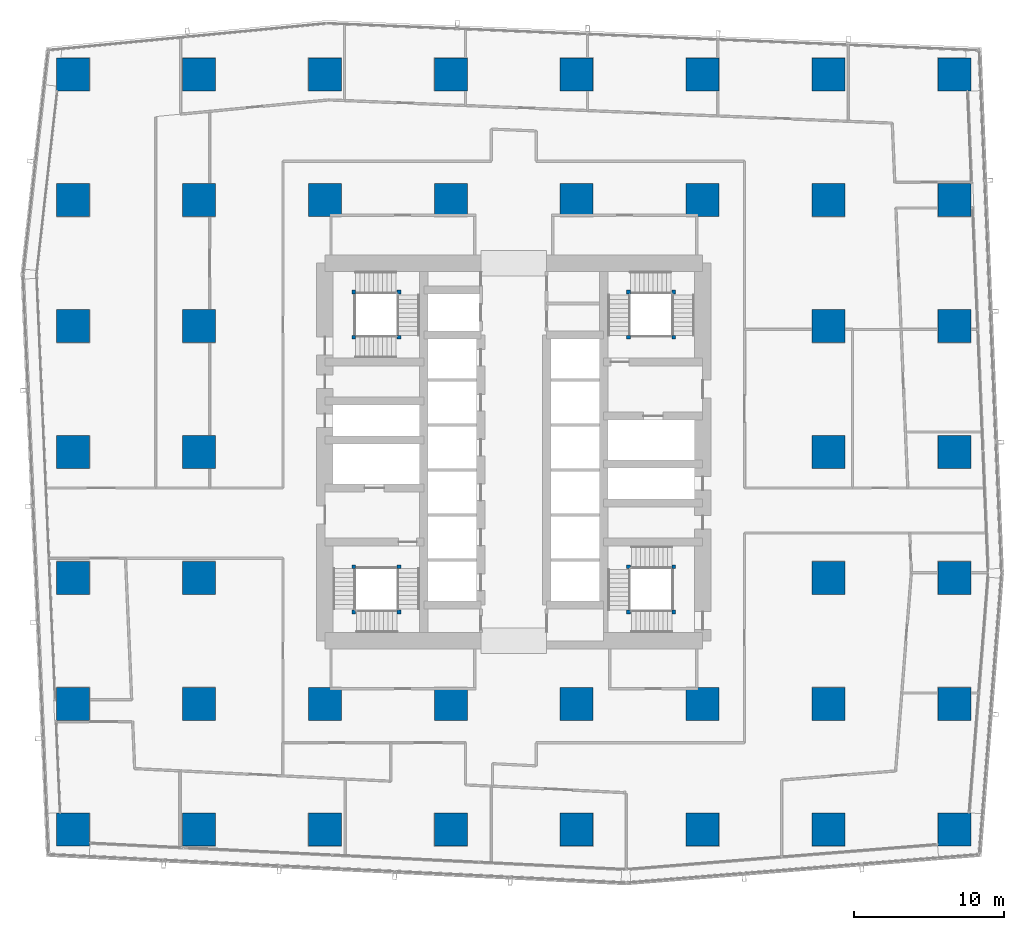
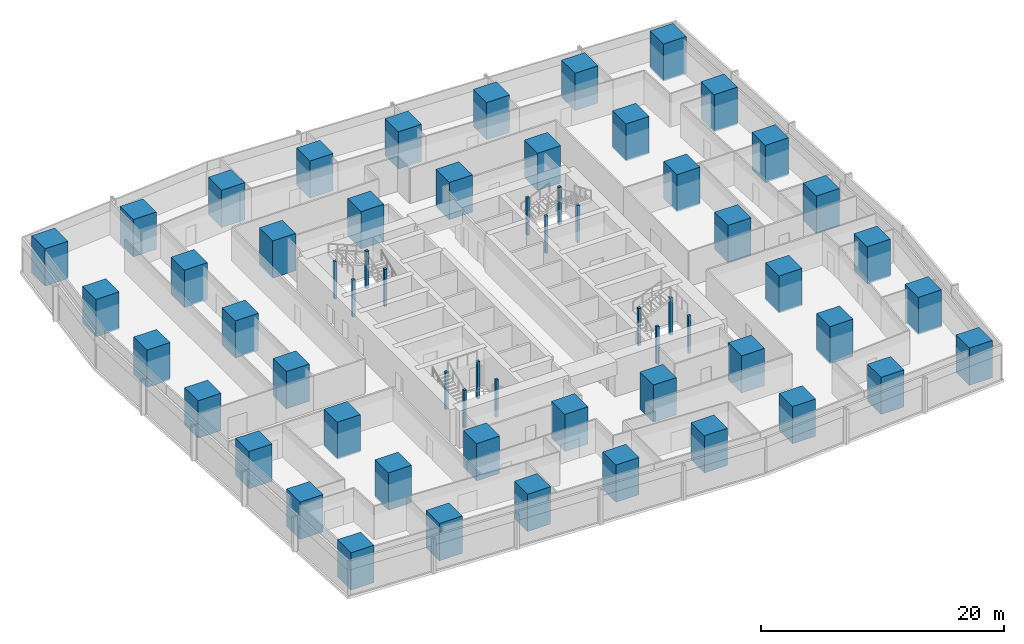
# One storey, part 1 of 44: 60 columns.
"""IFC4 building model written with IfcOpenShell, lengths in metres."""

from ifc_helpers import new_model, si_unit, direction, frame, origin, origin_2d, place, context, subcontext, project, spatial, rectangle, extrude, material, material_profile, profile_set, type_object, element, save


model = new_model("IFC4")

# Units and contexts
model_context = context("Model", 3, precision=1e-05, world=origin(), true_north=direction((0.0, 1.0)))
body_context = subcontext(model_context, "Body", "Model", "MODEL_VIEW")
ifc_project = project(units=[si_unit("LENGTHUNIT", "METRE"), si_unit("AREAUNIT", "SQUARE_METRE"), si_unit("VOLUMEUNIT", "CUBIC_METRE"), si_unit("PLANEANGLEUNIT", "RADIAN"), si_unit("MASSUNIT", "GRAM", prefix="KILO")], contexts=[model_context])

# Site, building, storey
site_placement = place(None, origin())
site = spatial("IfcSite", under=ifc_project, at=site_placement, CompositionType="ELEMENT")
building_placement = place(site_placement, origin())
building = spatial("IfcBuilding", under=site, at=building_placement, Name="Rekha Terrace Tower", CompositionType="ELEMENT")
storey_placement = place(building_placement, frame((0.0, 0.0, 59.14990234375)))
storey = spatial("IfcBuildingStorey", under=building, at=storey_placement, Name="L14", CompositionType="ELEMENT", Elevation=59.14990234375)

# Columns
ifc_material_1 = material(Name="Concrete M70", Category="concrete")
ifc_material_profile_1 = material_profile(ifc_material_1, rectangle(XDim=2.199951171875, YDim=2.199951171875, at=origin_2d()), Name="RC 2200x2200")
ifc_profile_set_1 = profile_set([ifc_material_profile_1], Name="Concrete M70")
column_type_1 = type_object("IfcColumnType", Name="C2 2200x2200 column", PredefinedType="COLUMN", material=ifc_profile_set_1)
for number, where, z_axis, x_axis, name in (
    (1, (8.39990234375, 8.39990234375, 0.0), (0.0, 0.0, 1.0), (1.0, 0.0, 0.0), "Column C2 2/B L14"),
    (2, (8.39990234375, 16.800048828125, 0.0), (0.0, 0.0, 1.0), (1.0, 0.0, 0.0), "Column C2 2/C L14"),
    (3, (8.39990234375, 25.199951171875, 0.0), (0.0, 0.0, 1.0), (1.0, 0.0, 0.0), "Column C2 2/D L14"),
    (4, (8.39990234375, 33.60009765625, 0.0), (0.0, 0.0, 1.0), (1.0, 0.0, 0.0), "Column C2 2/E L14"),
    (5, (8.39990234375, 42.0, 0.0), (0.0, 0.0, 1.0), (1.0, 0.0, 0.0), "Column C2 2/F L14"),
    (6, (8.39990234375, 50.39990234375, 0.0), (0.0, 0.0, 1.0), (1.0, 0.0, 0.0), "Column C2 2/G L14"),
    (7, (8.39990234375, 58.800048828125, 0.0), (0.0, 0.0, 1.0), (1.0, 0.0, 0.0), "Column C2 2/H L14"),
    (8, (16.800048828125, 8.39990234375, 0.0), (0.0, 0.0, 1.0), (1.0, 0.0, 0.0), "Column C2 3/B L14"),
    (9, (16.800048828125, 16.800048828125, 0.0), (0.0, 0.0, 1.0), (1.0, 0.0, 0.0), "Column C2 3/C L14"),
    (10, (16.800048828125, 25.199951171875, 0.0), (0.0, 0.0, 1.0), (1.0, 0.0, 0.0), "Column C2 3/D L14"),
    (11, (16.800048828125, 33.60009765625, 0.0), (0.0, 0.0, 1.0), (1.0, 0.0, 0.0), "Column C2 3/E L14"),
    (12, (16.800048828125, 42.0, 0.0), (0.0, 0.0, 1.0), (1.0, 0.0, 0.0), "Column C2 3/F L14"),
    (13, (16.800048828125, 50.39990234375, 0.0), (0.0, 0.0, 1.0), (1.0, 0.0, 0.0), "Column C2 3/G L14"),
    (14, (16.800048828125, 58.800048828125, 0.0), (0.0, 0.0, 1.0), (1.0, 0.0, 0.0), "Column C2 3/H L14"),
    (15, (25.199951171875, 8.39990234375, 0.0), (0.0, 0.0, 1.0), (1.0, 0.0, 0.0), "Column C2 4/B L14"),
    (16, (25.199951171875, 16.800048828125, 0.0), (0.0, 0.0, 1.0), (1.0, 0.0, 0.0), "Column C2 4/C L14"),
    (17, (25.199951171875, 50.39990234375, 0.0), (0.0, 0.0, 1.0), (1.0, 0.0, 0.0), "Column C2 4/G L14"),
    (18, (25.199951171875, 58.800048828125, 0.0), (0.0, 0.0, 1.0), (1.0, 0.0, 0.0), "Column C2 4/H L14"),
    (19, (33.60009765625, 8.39990234375, 0.0), (0.0, 0.0, 1.0), (1.0, 0.0, 0.0), "Column C2 5/B L14"),
    (20, (33.60009765625, 16.800048828125, 0.0), (0.0, 0.0, 1.0), (1.0, 0.0, 0.0), "Column C2 5/C L14"),
    (21, (33.60009765625, 50.39990234375, 0.0), (0.0, 0.0, 1.0), (1.0, 0.0, 0.0), "Column C2 5/G L14"),
    (22, (33.60009765625, 58.800048828125, 0.0), (0.0, 0.0, 1.0), (1.0, 0.0, 0.0), "Column C2 5/H L14"),
    (23, (42.0, 8.39990234375, 0.0), (0.0, 0.0, 1.0), (1.0, 0.0, 0.0), "Column C2 6/B L14"),
    (24, (42.0, 16.800048828125, 0.0), (0.0, 0.0, 1.0), (1.0, 0.0, 0.0), "Column C2 6/C L14"),
    (25, (42.0, 50.39990234375, 0.0), (0.0, 0.0, 1.0), (1.0, 0.0, 0.0), "Column C2 6/G L14"),
    (26, (42.0, 58.800048828125, 0.0), (0.0, 0.0, 1.0), (1.0, 0.0, 0.0), "Column C2 6/H L14"),
    (27, (50.39990234375, 8.39990234375, 0.0), (0.0, 0.0, 1.0), (1.0, 0.0, 0.0), "Column C2 7/B L14"),
    (28, (50.39990234375, 16.800048828125, 0.0), (0.0, 0.0, 1.0), (1.0, 0.0, 0.0), "Column C2 7/C L14"),
    (29, (50.39990234375, 50.39990234375, 0.0), (0.0, 0.0, 1.0), (1.0, 0.0, 0.0), "Column C2 7/G L14"),
    (30, (50.39990234375, 58.800048828125, 0.0), (0.0, 0.0, 1.0), (1.0, 0.0, 0.0), "Column C2 7/H L14"),
    (31, (58.800048828125, 8.39990234375, 0.0), (0.0, 0.0, 1.0), (1.0, 0.0, 0.0), "Column C2 8/B L14"),
    (32, (58.800048828125, 16.800048828125, 0.0), (0.0, 0.0, 1.0), (1.0, 0.0, 0.0), "Column C2 8/C L14"),
    (33, (58.800048828125, 25.199951171875, 0.0), (0.0, 0.0, 1.0), (1.0, 0.0, 0.0), "Column C2 8/D L14"),
    (34, (58.800048828125, 33.60009765625, 0.0), (0.0, 0.0, 1.0), (1.0, 0.0, 0.0), "Column C2 8/E L14"),
    (35, (58.800048828125, 42.0, 0.0), (0.0, 0.0, 1.0), (1.0, 0.0, 0.0), "Column C2 8/F L14"),
    (36, (58.800048828125, 50.39990234375, 0.0), (0.0, 0.0, 1.0), (1.0, 0.0, 0.0), "Column C2 8/G L14"),
    (37, (58.800048828125, 58.800048828125, 0.0), (0.0, 0.0, 1.0), (1.0, 0.0, 0.0), "Column C2 8/H L14"),
    (38, (67.199951171875, 8.39990234375, 0.0), (0.0, 0.0, 1.0), (1.0, 0.0, 0.0), "Column C2 9/B L14"),
    (39, (67.199951171875, 16.800048828125, 0.0), (0.0, 0.0, 1.0), (1.0, 0.0, 0.0), "Column C2 9/C L14"),
    (40, (67.199951171875, 25.199951171875, 0.0), (0.0, 0.0, 1.0), (1.0, 0.0, 0.0), "Column C2 9/D L14"),
    (41, (67.199951171875, 33.60009765625, 0.0), (0.0, 0.0, 1.0), (1.0, 0.0, 0.0), "Column C2 9/E L14"),
    (42, (67.199951171875, 42.0, 0.0), (0.0, 0.0, 1.0), (1.0, 0.0, 0.0), "Column C2 9/F L14"),
    (43, (67.199951171875, 50.39990234375, 0.0), (0.0, 0.0, 1.0), (1.0, 0.0, 0.0), "Column C2 9/G L14"),
    (44, (67.199951171875, 58.800048828125, 0.0), (0.0, 0.0, 1.0), (1.0, 0.0, 0.0), "Column C2 9/H L14"),
):
    element("IfcColumn", number, at=place(storey_placement, frame(where, z_axis=z_axis, x_axis=x_axis)), inside=storey, type_object=column_type_1, Name=name, PredefinedType="COLUMN", context=body_context, shape_type="SweptSolid", body=[
        extrude(rectangle(XDim=2.199951171875, YDim=2.199951171875, at=origin_2d()), origin(), (0.0, 0.0, 1.0), 3.75),
    ])
ifc_material_2 = material(Name="Concrete M60", Category="concrete")
ifc_material_profile_2 = material_profile(ifc_material_2, rectangle(XDim=0.25, YDim=0.25, at=origin_2d()), Name="RC 250x250")
ifc_profile_set_2 = profile_set([ifc_material_profile_2], Name="Concrete M60")
column_type_2 = type_object("IfcColumnType", Name="NP1 250x250 stair newel post", PredefinedType="COLUMN", material=ifc_profile_set_2)
for number, where, z_axis, x_axis, name in (
    (45, (30.14990234375, 25.949951171875, 0.0), (0.0, 0.0, 1.0), (1.0, 0.0, 0.0), "Stair newel post NP1"),
    (46, (30.14990234375, 22.925048828125, 0.0), (0.0, 0.0, 1.0), (1.0, 0.0, 0.0), "Stair newel post NP1"),
    (47, (27.125, 22.925048828125, 0.0), (0.0, 0.0, 1.0), (1.0, 0.0, 0.0), "Stair newel post NP1"),
    (48, (27.125, 25.949951171875, 0.0), (0.0, 0.0, 1.0), (1.0, 0.0, 0.0), "Stair newel post NP1"),
    (49, (45.449951171875, 41.25, 0.0), (0.0, 0.0, 1.0), (1.0, 0.0, 0.0), "Stair newel post NP1"),
    (50, (45.449951171875, 44.27490234375, 0.0), (0.0, 0.0, 1.0), (1.0, 0.0, 0.0), "Stair newel post NP1"),
    (51, (48.47509765625, 44.27490234375, 0.0), (0.0, 0.0, 1.0), (1.0, 0.0, 0.0), "Stair newel post NP1"),
    (52, (48.47509765625, 41.25, 0.0), (0.0, 0.0, 1.0), (1.0, 0.0, 0.0), "Stair newel post NP1"),
    (53, (48.47509765625, 22.925048828125, 0.0), (0.0, 0.0, 1.0), (1.0, 0.0, 0.0), "Stair newel post NP1"),
    (54, (45.449951171875, 22.925048828125, 0.0), (0.0, 0.0, 1.0), (1.0, 0.0, 0.0), "Stair newel post NP1"),
    (55, (45.449951171875, 25.949951171875, 0.0), (0.0, 0.0, 1.0), (1.0, 0.0, 0.0), "Stair newel post NP1"),
    (56, (48.47509765625, 25.949951171875, 0.0), (0.0, 0.0, 1.0), (1.0, 0.0, 0.0), "Stair newel post NP1"),
    (57, (27.125, 41.25, 0.0), (0.0, 0.0, 1.0), (1.0, 0.0, 0.0), "Stair newel post NP1"),
    (58, (30.14990234375, 41.25, 0.0), (0.0, 0.0, 1.0), (1.0, 0.0, 0.0), "Stair newel post NP1"),
    (59, (30.14990234375, 44.27490234375, 0.0), (0.0, 0.0, 1.0), (1.0, 0.0, 0.0), "Stair newel post NP1"),
    (60, (27.125, 44.27490234375, 0.0), (0.0, 0.0, 1.0), (1.0, 0.0, 0.0), "Stair newel post NP1"),
):
    element("IfcColumn", number, at=place(storey_placement, frame(where, z_axis=z_axis, x_axis=x_axis)), inside=storey, type_object=column_type_2, Name=name, PredefinedType="COLUMN", context=body_context, shape_type="SweptSolid", body=[
        extrude(rectangle(XDim=0.25, YDim=0.25, at=origin_2d()), origin(), (0.0, 0.0, 1.0), 3.75),
    ])

save(model, "model.ifc")
